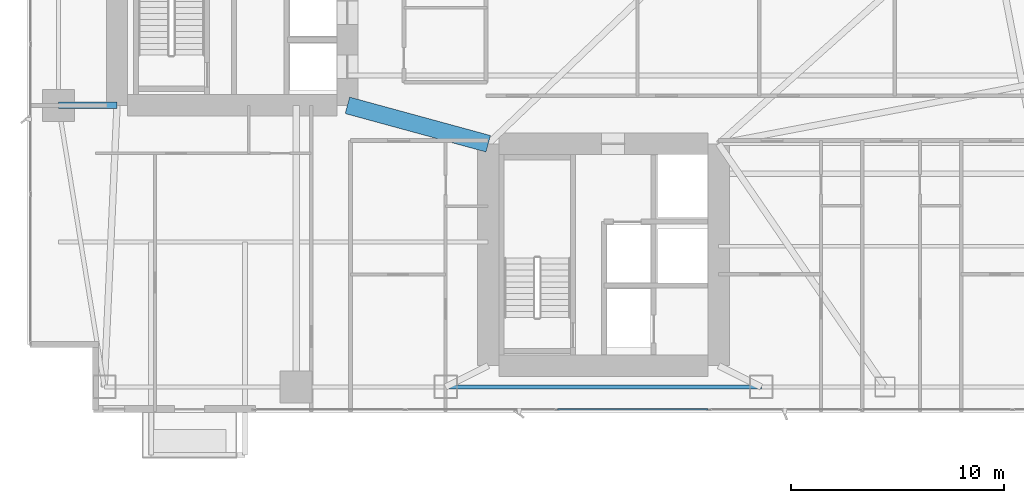
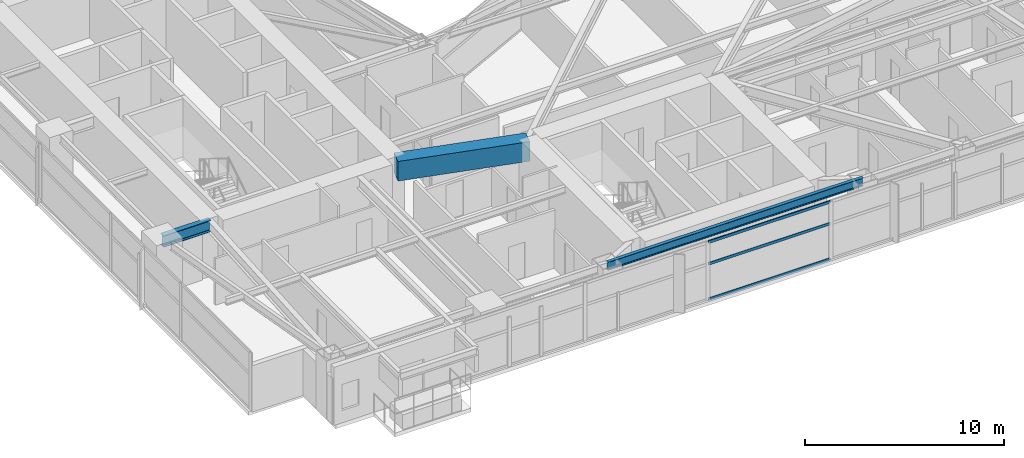
# One storey, part 7 of 30: 3 beams, 3 members, 1 element without a shape of its own.
"""IFC4 building model written with IfcOpenShell, lengths in metres."""

from ifc_helpers import new_model, si_unit, direction, frame, origin, origin_2d, place, context, subcontext, project, spatial, rectangle, hollow_rectangle, i_section, extrude, material, layer, layer_set, material_profile, profile_set, type_object, element, aggregate, save


model = new_model("IFC4")

# Units and contexts
model_context = context("Model", 3, precision=1e-05, world=origin(), true_north=direction((0.0, 1.0)))
body_context = subcontext(model_context, "Body", "Model", "MODEL_VIEW")
ifc_project = project(units=[si_unit("LENGTHUNIT", "METRE"), si_unit("AREAUNIT", "SQUARE_METRE"), si_unit("VOLUMEUNIT", "CUBIC_METRE"), si_unit("PLANEANGLEUNIT", "RADIAN"), si_unit("MASSUNIT", "GRAM", prefix="KILO")], contexts=[model_context])

# Site, building, storey
site_placement = place(None, origin())
site = spatial("IfcSite", under=ifc_project, at=site_placement, CompositionType="ELEMENT")
building_placement = place(site_placement, origin())
building = spatial("IfcBuilding", under=site, at=building_placement, Name="Calvorn Quay Hotel", CompositionType="ELEMENT")
storey_placement = place(building_placement, frame((0.0, 0.0, 54.60009765625)))
storey = spatial("IfcBuildingStorey", under=building, at=storey_placement, Name="L12", CompositionType="ELEMENT", Elevation=54.60009765625)

# Beams
ifc_material_1 = material(Name="Steel Q390GJC", Category="steel")
ifc_material_profile_1 = material_profile(ifc_material_1, i_section(OverallWidth=0.300048828125, OverallDepth=0.699951171875, WebThickness=0.012939453125, FlangeThickness=0.02392578125, FilletRadius=0.02392578125, at=origin_2d()), Name="HN700x300x13x24")
ifc_profile_set_1 = profile_set([ifc_material_profile_1], Name="Steel Q390GJC")
beam_type_1 = type_object("IfcBeamType", Name="BM-GIRD-MAIN", PredefinedType="BEAM", material=ifc_profile_set_1)
beam_1_placement = place(storey_placement, frame((1.449951171875, 16.800048828125, 3.18994140625), z_axis=(1.0, 0.0, 0.0), x_axis=(0.0, 1.0, 0.0)))
element("IfcBeam", 1, at=beam_1_placement, inside=storey, type_object=beam_type_1, Name="Beam BG-L12-W1", PredefinedType="BEAM", context=body_context, shape_type="SweptSolid", body=[
    extrude(i_section(OverallWidth=0.300048828125, OverallDepth=0.699951171875, WebThickness=0.012939453125, FlangeThickness=0.02392578125, FilletRadius=0.02392578125, at=origin_2d()), origin(), (0.0, 0.0, 1.0), 2.75),
])
ifc_material_2 = material(Name="Concrete C60", Category="concrete")
ifc_material_profile_2 = material_profile(ifc_material_2, rectangle(XDim=0.800048828125, YDim=1.199951171875, at=origin_2d()), Name="RCB800x1200")
ifc_profile_set_2 = profile_set([ifc_material_profile_2], Name="Concrete C60")
beam_type_2 = type_object("IfcBeamType", Name="BM-RC-LINK-800x1200", PredefinedType="BEAM", material=ifc_profile_set_2)
beam_2_placement = place(storey_placement, frame((15.0, 16.800048828125, 2.93994140625), z_axis=(0.964762997686, -0.263120425462, 0.0), x_axis=(0.263120425462, 0.964762997686, 0.0)))
element("IfcBeam", 2, at=beam_2_placement, inside=storey, type_object=beam_type_2, Name="Beam BCL-L12-01", PredefinedType="BEAM", context=body_context, shape_type="SweptSolid", body=[
    extrude(rectangle(XDim=0.800048828125, YDim=1.199951171875, at=origin_2d()), origin(), (0.0, 0.0, 1.0), 6.841064453125),
])
ifc_material_3 = material(Name="Steel Q355B", Category="steel")
ifc_material_profile_3 = material_profile(ifc_material_3, i_section(OverallWidth=0.199951171875, OverallDepth=0.5, WebThickness=0.010009765625, FlangeThickness=0.01611328125, FilletRadius=0.01611328125, at=origin_2d()), Name="HN500x200x10x16")
ifc_profile_set_3 = profile_set([ifc_material_profile_3], Name="Steel Q355B")
beam_type_3 = type_object("IfcBeamType", Name="BM-SPANDREL-Z1", PredefinedType="SPANDREL", material=ifc_profile_set_3)
beam_3_placement = place(storey_placement, frame((19.60009765625, 3.60009765625, 3.289794921875), z_axis=(1.0, 0.0, 0.0), x_axis=(0.0, 1.0, 0.0)))
element("IfcBeam", 3, at=beam_3_placement, inside=storey, type_object=beam_type_3, Name="Beam BSP-L12-S3", PredefinedType="SPANDREL", context=body_context, shape_type="SweptSolid", body=[
    extrude(i_section(OverallWidth=0.199951171875, OverallDepth=0.5, WebThickness=0.010009765625, FlangeThickness=0.01611328125, FilletRadius=0.01611328125, at=origin_2d()), origin(), (0.0, 0.0, 1.0), 14.7998046875),
])

# Curtain wall, members
ifc_material_4 = material(Name="Pale Anodised Aluminium and Low-E Glass", Category="aluminium")
ifc_layer = layer(ifc_material_4, 0.219970703125)
ifc_layer_set = layer_set([ifc_layer], Name="CW-SYS-Z1")
curtain_wall_type = type_object("IfcCurtainWallType", Name="CW-SYS-Z1", PredefinedType="NOTDEFINED", material=ifc_layer_set)
curtain_wall_placement = place(storey_placement, origin())
curtain_wall = element("IfcCurtainWall", 4, at=curtain_wall_placement, inside=storey, type_object=curtain_wall_type, Name="Tower South Waterfront Curtain Wall (L12)", PredefinedType="NOTDEFINED")
ifc_material_5 = material(Name="Pale Anodised Aluminium 6063-T6", Category="aluminium")
ifc_material_profile_4 = material_profile(ifc_material_5, hollow_rectangle(XDim=0.06494140625, YDim=0.1650390625, WallThickness=0.00341796875, at=origin_2d()), Name="ALU-T165x65x3.5")
ifc_profile_set_4 = profile_set([ifc_material_profile_4], Name="Pale Anodised Aluminium 6063-T6")
member_type = type_object("IfcMemberType", Name="CW-SYS-Z1-TRN", PredefinedType="USERDEFINED", material=ifc_profile_set_4)
member_1_placement = place(storey_placement, frame((24.858642578125, 2.550048828125, 0.02978515625), z_axis=(1.0, 0.0, 0.0), x_axis=(0.0, 1.0, 0.0)))
member_1 = element("IfcMember", 5, at=member_1_placement, type_object=member_type, Name="CW-L12-S transom 3.1", ObjectType="TRANSOM", PredefinedType="USERDEFINED", context=body_context, shape_type="SweptSolid", body=[
    extrude(hollow_rectangle(XDim=0.06494140625, YDim=0.1650390625, WallThickness=0.00341796875, at=origin_2d()), origin(), (0.0, 0.0, 1.0), 7.05419921875),
])
member_2_placement = place(storey_placement, frame((24.858642578125, 2.550048828125, 2.199951171875), z_axis=(1.0, 0.0, 0.0), x_axis=(0.0, 1.0, 0.0)))
member_2 = element("IfcMember", 6, at=member_2_placement, type_object=member_type, Name="CW-L12-S transom 3.2", ObjectType="TRANSOM", PredefinedType="USERDEFINED", context=body_context, shape_type="SweptSolid", body=[
    extrude(hollow_rectangle(XDim=0.06494140625, YDim=0.1650390625, WallThickness=0.00341796875, at=origin_2d()), origin(), (0.0, 0.0, 1.0), 7.05419921875),
])
member_3_placement = place(storey_placement, frame((24.858642578125, 2.550048828125, 3.52978515625), z_axis=(1.0, 0.0, 0.0), x_axis=(0.0, 1.0, 0.0)))
member_3 = element("IfcMember", 7, at=member_3_placement, type_object=member_type, Name="CW-L12-S transom 3.3", ObjectType="TRANSOM", PredefinedType="USERDEFINED", context=body_context, shape_type="SweptSolid", body=[
    extrude(hollow_rectangle(XDim=0.06494140625, YDim=0.1650390625, WallThickness=0.00341796875, at=origin_2d()), origin(), (0.0, 0.0, 1.0), 7.05419921875),
])
aggregate(curtain_wall, [member_1, member_2, member_3])

save(model, "model.ifc")
